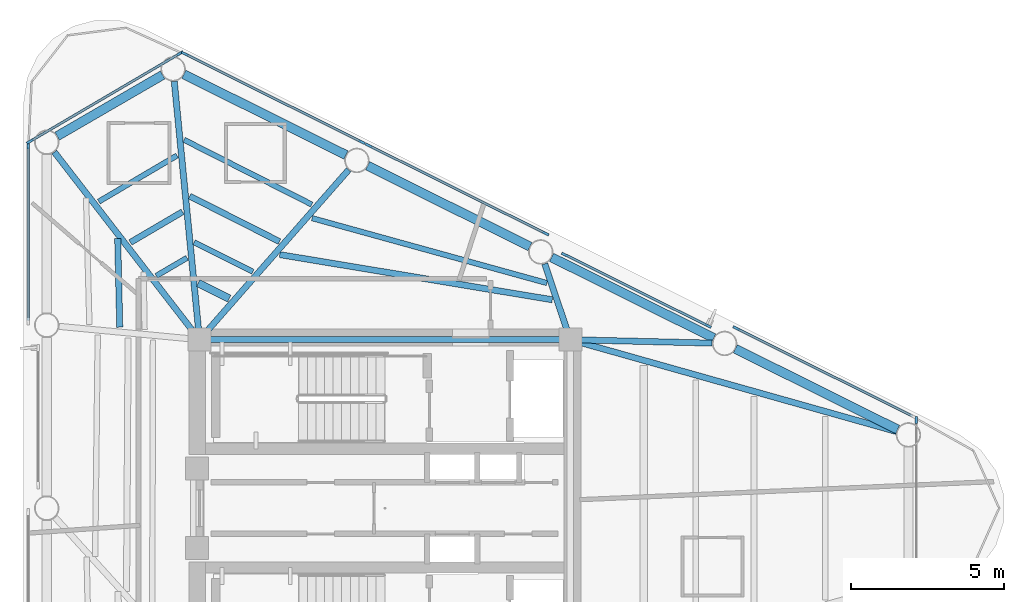
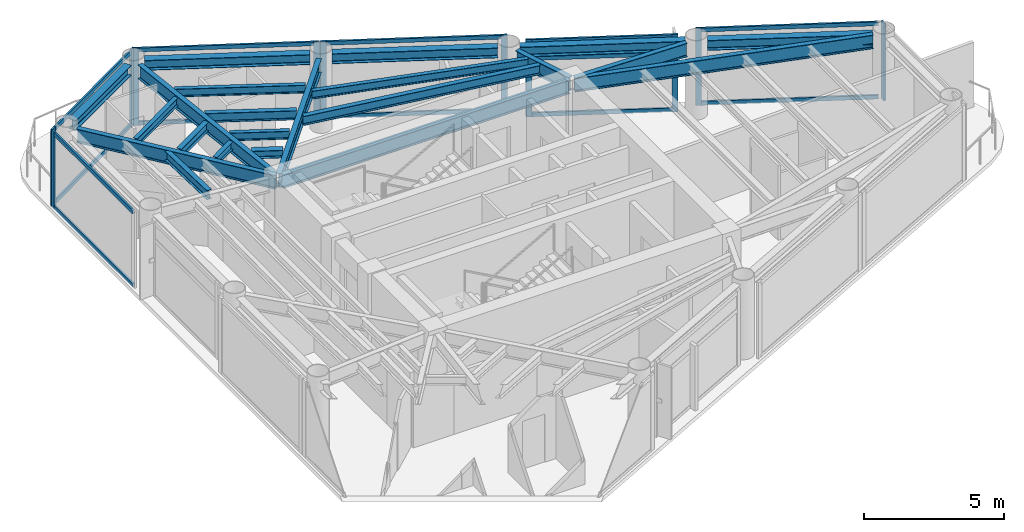
# One storey, part 3 of 10: 24 members, 22 beams, 7 elements without a shape of their own.
"""IFC4 building model written with IfcOpenShell, lengths in metres."""

from ifc_helpers import new_model, si_unit, direction, frame, origin, origin_2d, place, context, subcontext, project, spatial, rectangle, i_section, extrude, source, transform, mapped, material, layer, layer_set, material_profile, profile_set, type_object, element, aggregate, save


model = new_model("IFC4")

# Units and contexts
model_context = context("Model", 3, precision=1e-05, world=origin(), true_north=direction((0.0, 1.0)))
body_context = subcontext(model_context, "Body", "Model", "MODEL_VIEW")
ifc_project = project(units=[si_unit("LENGTHUNIT", "METRE"), si_unit("AREAUNIT", "SQUARE_METRE"), si_unit("VOLUMEUNIT", "CUBIC_METRE"), si_unit("PLANEANGLEUNIT", "RADIAN"), si_unit("MASSUNIT", "GRAM", prefix="KILO")], contexts=[model_context])

# Site, building, storey
site_placement = place(None, origin())
site = spatial("IfcSite", under=ifc_project, at=site_placement, CompositionType="ELEMENT")
building_placement = place(site_placement, origin())
building = spatial("IfcBuilding", under=site, at=building_placement, Name="Yunling Apex Tower", CompositionType="ELEMENT")
storey_placement = place(building_placement, frame((0.0, 0.0, 303.64990234375)))
storey = spatial("IfcBuildingStorey", under=building, at=storey_placement, Name="L74", CompositionType="ELEMENT", Elevation=303.64990234375)

# Beams
ifc_material_1 = material(Name="Steel Q355B", Category="steel")
ifc_material_profile_1 = material_profile(ifc_material_1, i_section(OverallWidth=0.199951171875, OverallDepth=0.60009765625, WebThickness=0.010986328125, FlangeThickness=0.01708984375, FilletRadius=0.02197265625, at=origin_2d()))
ifc_profile_set_1 = profile_set([ifc_material_profile_1], Name="Steel Q355B")
beam_type_1 = type_object("IfcBeamType", Name="BG-PRI-5", PredefinedType="USERDEFINED", material=ifc_profile_set_1)
shared_shape_1 = source(origin(), body_context, "Body", "SweptSolid", [
    extrude(i_section(OverallWidth=0.199951171875, OverallDepth=0.60009765625, WebThickness=0.010986328125, FlangeThickness=0.01708984375, FilletRadius=0.02197265625, at=origin_2d()), origin(), (0.0, 0.0, 1.0), 11.7998046875),
])
beam_1_placement = place(storey_placement, frame((5.89990234375, 5.5, 2.97021484375), z_axis=(-1.0, 0.0, 0.0), x_axis=(0.0, -1.0, 0.0)))
element("IfcBeam", 1, at=beam_1_placement, inside=storey, type_object=beam_type_1, Name="L74 Core Ring Tie Beam 3", ObjectType="GIRDER", PredefinedType="USERDEFINED", context=body_context, shape_type="MappedRepresentation", body=[
    mapped(shared_shape_1, transform((0.0, 0.0, 0.0), scale=1.0)),
])
ifc_material_profile_2 = material_profile(ifc_material_1, i_section(OverallWidth=0.300048828125, OverallDepth=0.43994140625, WebThickness=0.010986328125, FlangeThickness=0.01806640625, FilletRadius=0.02197265625, at=origin_2d()))
ifc_profile_set_2 = profile_set([ifc_material_profile_2], Name="Steel Q355B")
beam_type_2 = type_object("IfcBeamType", Name="BP-SPN-3", PredefinedType="SPANDREL", material=ifc_profile_set_2)
shared_shape_2 = source(origin(), body_context, "Body", "SweptSolid", [
    extrude(i_section(OverallWidth=0.300048828125, OverallDepth=0.43994140625, WebThickness=0.010986328125, FlangeThickness=0.01806640625, FilletRadius=0.02197265625, at=origin_2d()), origin(), (0.0, 0.0, 1.0), 5.914306640625),
])
for number, where, z_axis, x_axis, name in (
    (2, (4.733642578125, 8.539794921875, 3.050048828125), (-0.895267705164, 0.445528602999, 0.0), (-0.445528602999, -0.895267705164, 0.0), "L74 Perimeter Spandrel Beam 8"),
    (3, (-1.2666015625, 11.52587890625, 3.050048828125), (-0.895243044542, 0.445578153861, 0.0), (-0.445578153861, -0.895243044542, 0.0), "L74 Perimeter Spandrel Beam 9"),
):
    element("IfcBeam", number, at=place(storey_placement, frame(where, z_axis=z_axis, x_axis=x_axis)), inside=storey, type_object=beam_type_2, Name=name, PredefinedType="SPANDREL", context=body_context, shape_type="MappedRepresentation", body=[
        mapped(shared_shape_2, transform((0.0, 0.0, 0.0), scale=1.0)),
    ])
shared_shape_3 = source(origin(), body_context, "Body", "SweptSolid", [
    extrude(i_section(OverallWidth=0.300048828125, OverallDepth=0.43994140625, WebThickness=0.010986328125, FlangeThickness=0.01806640625, FilletRadius=0.02197265625, at=origin_2d()), origin(), (0.0, 0.0, 1.0), 5.9140625),
])
for number, where, z_axis, x_axis, name in (
    (4, (16.73388671875, 2.567138671875, 3.050048828125), (-0.895259510924, 0.445545068539, 0.0), (-0.445545068539, -0.895259510924, 0.0), "L74 Perimeter Spandrel Beam 6"),
    (5, (10.733642578125, 5.553466796875, 3.050048828125), (-0.895259510924, 0.445545068539, 0.0), (-0.445545068539, -0.895259510924, 0.0), "L74 Perimeter Spandrel Beam 7"),
):
    element("IfcBeam", number, at=place(storey_placement, frame(where, z_axis=z_axis, x_axis=x_axis)), inside=storey, type_object=beam_type_2, Name=name, PredefinedType="SPANDREL", context=body_context, shape_type="MappedRepresentation", body=[
        mapped(shared_shape_3, transform((0.0, 0.0, 0.0), scale=1.0)),
    ])
shared_shape_4 = source(origin(), body_context, "Body", "SweptSolid", [
    extrude(i_section(OverallWidth=0.300048828125, OverallDepth=0.43994140625, WebThickness=0.010986328125, FlangeThickness=0.01806640625, FilletRadius=0.02197265625, at=origin_2d()), origin(), (0.0, 0.0, 1.0), 3.978515625),
])
beam_2_placement = place(storey_placement, frame((-7.2548828125, 14.138916015625, 3.050048828125), z_axis=(-0.865064744393, -0.501660231639, 0.0), x_axis=(0.501660231639, -0.865064744393, 0.0)))
element("IfcBeam", 6, at=beam_2_placement, inside=storey, type_object=beam_type_2, Name="L74 Perimeter Spandrel Beam 10", PredefinedType="SPANDREL", context=body_context, shape_type="MappedRepresentation", body=[
    mapped(shared_shape_4, transform((0.0, 0.0, 0.0), scale=1.0)),
])
shared_shape_5 = source(origin(), body_context, "Body", "SweptSolid", [
    extrude(i_section(OverallWidth=0.199951171875, OverallDepth=0.60009765625, WebThickness=0.010986328125, FlangeThickness=0.01708984375, FilletRadius=0.02197265625, at=origin_2d()), origin(), (0.0, 0.0, 1.0), 8.390869140625),
])
beam_3_placement = place(storey_placement, frame((-6.874267578125, 13.9306640625, 2.97021484375), z_axis=(0.097296792844, -0.995255411491, 0.0), x_axis=(0.995255411491, 0.097296792844, 0.0)))
element("IfcBeam", 7, at=beam_3_placement, inside=storey, type_object=beam_type_1, Name="L74 Radial Primary Girder R10", ObjectType="GIRDER", PredefinedType="USERDEFINED", context=body_context, shape_type="MappedRepresentation", body=[
    mapped(shared_shape_5, transform((0.0, 0.0, 0.0), scale=1.0)),
])
shared_shape_6 = source(origin(), body_context, "Body", "SweptSolid", [
    extrude(i_section(OverallWidth=0.199951171875, OverallDepth=0.60009765625, WebThickness=0.010986328125, FlangeThickness=0.01708984375, FilletRadius=0.02197265625, at=origin_2d()), origin(), (0.0, 0.0, 1.0), 7.297119140625),
])
beam_4_placement = place(storey_placement, frame((-1.18310546875, 11.043701171875, 2.97021484375), z_axis=(-0.659747259747, -0.751487560281, 0.0), x_axis=(0.751487560281, -0.659747259747, 0.0)))
element("IfcBeam", 8, at=beam_4_placement, inside=storey, type_object=beam_type_1, Name="L74 Radial Primary Girder R09", ObjectType="GIRDER", PredefinedType="USERDEFINED", context=body_context, shape_type="MappedRepresentation", body=[
    mapped(shared_shape_6, transform((0.0, 0.0, 0.0), scale=1.0)),
])
shared_shape_7 = source(origin(), body_context, "Body", "SweptSolid", [
    extrude(i_section(OverallWidth=0.199951171875, OverallDepth=0.60009765625, WebThickness=0.010986328125, FlangeThickness=0.01708984375, FilletRadius=0.02197265625, at=origin_2d()), origin(), (0.0, 0.0, 1.0), 2.533935546875),
])
beam_5_placement = place(storey_placement, frame((5.21630859375, 7.977294921875, 2.97021484375), z_axis=(0.318914628896, -0.947783445454, 0.0), x_axis=(0.947783445454, 0.318914628896, 0.0)))
element("IfcBeam", 9, at=beam_5_placement, inside=storey, type_object=beam_type_1, Name="L74 Radial Primary Girder R08", ObjectType="GIRDER", PredefinedType="USERDEFINED", context=body_context, shape_type="MappedRepresentation", body=[
    mapped(shared_shape_7, transform((0.0, 0.0, 0.0), scale=1.0)),
])
shared_shape_8 = source(origin(), body_context, "Body", "SweptSolid", [
    extrude(i_section(OverallWidth=0.199951171875, OverallDepth=0.60009765625, WebThickness=0.010986328125, FlangeThickness=0.01708984375, FilletRadius=0.02197265625, at=origin_2d()), origin(), (0.0, 0.0, 1.0), 4.5498046875),
])
beam_6_placement = place(storey_placement, frame((10.678466796875, 5.3876953125, 2.97021484375), z_axis=(-0.999705840498, 0.024253504369, 0.0), x_axis=(-0.024253504369, -0.999705840498, 0.0)))
element("IfcBeam", 10, at=beam_6_placement, inside=storey, type_object=beam_type_1, Name="L74 Radial Primary Girder R07", ObjectType="GIRDER", PredefinedType="USERDEFINED", context=body_context, shape_type="MappedRepresentation", body=[
    mapped(shared_shape_8, transform((0.0, 0.0, 0.0), scale=1.0)),
])
shared_shape_9 = source(origin(), body_context, "Body", "SweptSolid", [
    extrude(i_section(OverallWidth=0.199951171875, OverallDepth=0.60009765625, WebThickness=0.010986328125, FlangeThickness=0.01708984375, FilletRadius=0.02197265625, at=origin_2d()), origin(), (0.0, 0.0, 1.0), 10.97802734375),
])
beam_7_placement = place(storey_placement, frame((16.69384765625, 2.502197265625, 2.97021484375), z_axis=(-0.962552702816, 0.271094622414, 0.0), x_axis=(-0.271094622414, -0.962552702816, 0.0)))
element("IfcBeam", 11, at=beam_7_placement, inside=storey, type_object=beam_type_1, Name="L74 Radial Primary Girder R06", ObjectType="GIRDER", PredefinedType="USERDEFINED", context=body_context, shape_type="MappedRepresentation", body=[
    mapped(shared_shape_9, transform((0.0, 0.0, 0.0), scale=1.0)),
])
shared_shape_10 = source(origin(), body_context, "Body", "SweptSolid", [
    extrude(i_section(OverallWidth=0.199951171875, OverallDepth=0.60009765625, WebThickness=0.010986328125, FlangeThickness=0.01708984375, FilletRadius=0.02197265625, at=origin_2d()), origin(), (0.0, 0.0, 1.0), 7.661376953125),
])
beam_8_placement = place(storey_placement, frame((-10.78759765625, 11.62255859375, 2.97021484375), z_axis=(0.611959789037, -0.790888877531, 0.0), x_axis=(0.790888877531, 0.611959789037, 0.0)))
element("IfcBeam", 12, at=beam_8_placement, inside=storey, type_object=beam_type_1, Name="L74 Radial Primary Girder R11", ObjectType="GIRDER", PredefinedType="USERDEFINED", context=body_context, shape_type="MappedRepresentation", body=[
    mapped(shared_shape_10, transform((0.0, 0.0, 0.0), scale=1.0)),
])
ifc_material_profile_3 = material_profile(ifc_material_1, i_section(OverallWidth=0.199951171875, OverallDepth=0.39990234375, WebThickness=0.008056640625, FlangeThickness=0.012939453125, FilletRadius=0.01611328125, at=origin_2d()))
ifc_profile_set_3 = profile_set([ifc_material_profile_3], Name="Steel Q355B")
beam_type_3 = type_object("IfcBeamType", Name="BS-SEC-4", PredefinedType="BEAM", material=ifc_profile_set_3)
shared_shape_11 = source(origin(), body_context, "Body", "SweptSolid", [
    extrude(i_section(OverallWidth=0.199951171875, OverallDepth=0.39990234375, WebThickness=0.008056640625, FlangeThickness=0.012939453125, FilletRadius=0.01611328125, at=origin_2d()), origin(), (0.0, 0.0, 1.0), 3.281494140625),
])
beam_9_placement = place(storey_placement, frame((-3.444091796875, 8.703125, 3.070068359375), z_axis=(-0.892364297468, 0.451315810275, 0.0), x_axis=(-0.451315810275, -0.892364297468, 0.0)))
element("IfcBeam", 13, at=beam_9_placement, inside=storey, type_object=beam_type_3, Name="L74 Composite Floor Beam BS-9", PredefinedType="BEAM", context=body_context, shape_type="MappedRepresentation", body=[
    mapped(shared_shape_11, transform((0.0, 0.0, 0.0), scale=1.0)),
])
ifc_material_profile_4 = material_profile(ifc_material_1, i_section(OverallWidth=0.175048828125, OverallDepth=0.35009765625, WebThickness=0.007080078125, FlangeThickness=0.010986328125, FilletRadius=0.013916015625, at=origin_2d()))
ifc_profile_set_4 = profile_set([ifc_material_profile_4], Name="Steel Q355B")
beam_type_4 = type_object("IfcBeamType", Name="BJ-JST-1", PredefinedType="JOIST", material=ifc_profile_set_4)
shared_shape_12 = source(origin(), body_context, "Body", "SweptSolid", [
    extrude(i_section(OverallWidth=0.175048828125, OverallDepth=0.35009765625, WebThickness=0.007080078125, FlangeThickness=0.010986328125, FilletRadius=0.013916015625, at=origin_2d()), origin(), (0.0, 0.0, 1.0), 4.67138671875),
])
beam_10_placement = place(storey_placement, frame((-2.385009765625, 9.90966796875, 3.09521484375), z_axis=(-0.892031280848, 0.45197366515, 0.0), x_axis=(-0.45197366515, -0.892031280848, 0.0)))
element("IfcBeam", 14, at=beam_10_placement, inside=storey, type_object=beam_type_4, Name="L74 Composite Floor Joist BJ1-9", PredefinedType="JOIST", context=body_context, shape_type="MappedRepresentation", body=[
    mapped(shared_shape_12, transform((0.0, 0.0, 0.0), scale=1.0)),
])
shared_shape_13 = source(origin(), body_context, "Body", "SweptSolid", [
    extrude(i_section(OverallWidth=0.175048828125, OverallDepth=0.35009765625, WebThickness=0.007080078125, FlangeThickness=0.010986328125, FilletRadius=0.013916015625, at=origin_2d()), origin(), (0.0, 0.0, 1.0), 2.143798828125),
])
beam_11_placement = place(storey_placement, frame((-4.310791015625, 7.7158203125, 3.09521484375), z_axis=(-0.892941835578, 0.45017205408, 0.0), x_axis=(-0.45017205408, -0.892941835578, 0.0)))
element("IfcBeam", 15, at=beam_11_placement, inside=storey, type_object=beam_type_4, Name="L74 Composite Floor Joist BJ3-9", PredefinedType="JOIST", context=body_context, shape_type="MappedRepresentation", body=[
    mapped(shared_shape_13, transform((0.0, 0.0, 0.0), scale=1.0)),
])
ifc_material_profile_5 = material_profile(ifc_material_1, i_section(OverallWidth=0.25, OverallDepth=0.340087890625, WebThickness=0.009033203125, FlangeThickness=0.013916015625, FilletRadius=0.01806640625, at=origin_2d()))
ifc_profile_set_5 = profile_set([ifc_material_profile_5], Name="Steel Q355B")
beam_type_5 = type_object("IfcBeamType", Name="BJ-JST-2", PredefinedType="JOIST", material=ifc_profile_set_5)
shared_shape_14 = source(origin(), body_context, "Body", "SweptSolid", [
    extrude(i_section(OverallWidth=0.25, OverallDepth=0.340087890625, WebThickness=0.009033203125, FlangeThickness=0.013916015625, FilletRadius=0.01806640625, at=origin_2d()), origin(), (0.0, 0.0, 1.0), 1.1328125),
])
beam_12_placement = place(storey_placement, frame((-5.081298828125, 6.838134765625, 3.10009765625), z_axis=(-0.894211562533, 0.447644592765, 0.0), x_axis=(-0.447644592765, -0.894211562533, 0.0)))
element("IfcBeam", 16, at=beam_12_placement, inside=storey, type_object=beam_type_5, Name="L74 Composite Floor Joist BJ2-9", PredefinedType="JOIST", context=body_context, shape_type="MappedRepresentation", body=[
    mapped(shared_shape_14, transform((0.0, 0.0, 0.0), scale=1.0)),
])
shared_shape_15 = source(origin(), body_context, "Body", "SweptSolid", [
    extrude(i_section(OverallWidth=0.199951171875, OverallDepth=0.39990234375, WebThickness=0.008056640625, FlangeThickness=0.012939453125, FilletRadius=0.01611328125, at=origin_2d()), origin(), (0.0, 0.0, 1.0), 9.01611328125),
])
beam_13_placement = place(storey_placement, frame((5.462646484375, 6.802734375, 3.070068359375), z_axis=(-0.986561729833, 0.163388962996, 0.0), x_axis=(-0.163388962996, -0.986561729833, 0.0)))
element("IfcBeam", 17, at=beam_13_placement, inside=storey, type_object=beam_type_3, Name="L74 Composite Floor Beam BS-8", PredefinedType="BEAM", context=body_context, shape_type="MappedRepresentation", body=[
    mapped(shared_shape_15, transform((0.0, 0.0, 0.0), scale=1.0)),
])
shared_shape_16 = source(origin(), body_context, "Body", "SweptSolid", [
    extrude(i_section(OverallWidth=0.175048828125, OverallDepth=0.35009765625, WebThickness=0.007080078125, FlangeThickness=0.010986328125, FilletRadius=0.013916015625, at=origin_2d()), origin(), (0.0, 0.0, 1.0), 7.952392578125),
])
beam_14_placement = place(storey_placement, frame((5.288330078125, 7.34765625, 3.09521484375), z_axis=(-0.963874198485, 0.266357897377, 0.0), x_axis=(-0.266357897377, -0.963874198485, 0.0)))
element("IfcBeam", 18, at=beam_14_placement, inside=storey, type_object=beam_type_4, Name="L74 Composite Floor Joist BJ1-8", PredefinedType="JOIST", context=body_context, shape_type="MappedRepresentation", body=[
    mapped(shared_shape_16, transform((0.0, 0.0, 0.0), scale=1.0)),
])
shared_shape_17 = source(origin(), body_context, "Body", "SweptSolid", [
    extrude(i_section(OverallWidth=0.199951171875, OverallDepth=0.39990234375, WebThickness=0.008056640625, FlangeThickness=0.012939453125, FilletRadius=0.01611328125, at=origin_2d()), origin(), (0.0, 0.0, 1.0), 1.9736328125),
])
beam_15_placement = place(storey_placement, frame((-6.60400390625, 9.674072265625, 3.070068359375), z_axis=(-0.862118606545, -0.506706530694, 0.0), x_axis=(0.506706530694, -0.862118606545, 0.0)))
element("IfcBeam", 19, at=beam_15_placement, inside=storey, type_object=beam_type_3, Name="L74 Composite Floor Beam BS-10", PredefinedType="BEAM", context=body_context, shape_type="MappedRepresentation", body=[
    mapped(shared_shape_17, transform((0.0, 0.0, 0.0), scale=1.0)),
])
shared_shape_18 = source(origin(), body_context, "Body", "SweptSolid", [
    extrude(i_section(OverallWidth=0.175048828125, OverallDepth=0.35009765625, WebThickness=0.007080078125, FlangeThickness=0.010986328125, FilletRadius=0.013916015625, at=origin_2d()), origin(), (0.0, 0.0, 1.0), 2.96337890625),
])
beam_16_placement = place(storey_placement, frame((-6.783447265625, 11.510986328125, 3.09521484375), z_axis=(-0.861658767358, -0.507488097038, 0.0), x_axis=(0.507488097038, -0.861658767358, 0.0)))
element("IfcBeam", 20, at=beam_16_placement, inside=storey, type_object=beam_type_4, Name="L74 Composite Floor Joist BJ1-10", PredefinedType="JOIST", context=body_context, shape_type="MappedRepresentation", body=[
    mapped(shared_shape_18, transform((0.0, 0.0, 0.0), scale=1.0)),
])
shared_shape_19 = source(origin(), body_context, "Body", "SweptSolid", [
    extrude(i_section(OverallWidth=0.175048828125, OverallDepth=0.35009765625, WebThickness=0.007080078125, FlangeThickness=0.010986328125, FilletRadius=0.013916015625, at=origin_2d()), origin(), (0.0, 0.0, 1.0), 1.16357421875),
])
beam_17_placement = place(storey_placement, frame((-6.457275390625, 8.171142578125, 3.09521484375), z_axis=(-0.862833680606, -0.50548792232, 0.0), x_axis=(0.50548792232, -0.862833680606, 0.0)))
element("IfcBeam", 21, at=beam_17_placement, inside=storey, type_object=beam_type_4, Name="L74 Composite Floor Joist BJ3-10", PredefinedType="JOIST", context=body_context, shape_type="MappedRepresentation", body=[
    mapped(shared_shape_19, transform((0.0, 0.0, 0.0), scale=1.0)),
])
shared_shape_20 = source(origin(), body_context, "Body", "SweptSolid", [
    extrude(i_section(OverallWidth=0.199951171875, OverallDepth=0.39990234375, WebThickness=0.008056640625, FlangeThickness=0.012939453125, FilletRadius=0.01611328125, at=origin_2d()), origin(), (0.0, 0.0, 1.0), 2.890869140625),
])
beam_18_placement = place(storey_placement, frame((-8.720947265625, 8.796630859375, 3.070068359375), z_axis=(0.023139604217, -0.999732243512, 0.0), x_axis=(0.999732243512, 0.023139604217, 0.0)))
element("IfcBeam", 22, at=beam_18_placement, inside=storey, type_object=beam_type_3, Name="L74 Composite Floor Beam BS-11", PredefinedType="BEAM", context=body_context, shape_type="MappedRepresentation", body=[
    mapped(shared_shape_20, transform((0.0, 0.0, 0.0), scale=1.0)),
])

# Curtain wall, member
ifc_material_2 = material(Name="Bronze anodised aluminium", Category="aluminium")
ifc_layer = layer(ifc_material_2, 0.219970703125)
ifc_layer_set = layer_set([ifc_layer], Name="Bronze anodised aluminium")
curtain_wall_type = type_object("IfcCurtainWallType", Name="CW-SYS-4", PredefinedType="NOTDEFINED", material=ifc_layer_set)
curtain_wall_1_placement = place(storey_placement, origin())
curtain_wall_1 = element("IfcCurtainWall", 23, at=curtain_wall_1_placement, inside=storey, type_object=curtain_wall_type, Name="CW-L74-CRN1", PredefinedType="NOTDEFINED")
ifc_material_profile_6 = material_profile(ifc_material_2, rectangle(XDim=0.080078125, YDim=0.219970703125, at=origin_2d()))
ifc_profile_set_6 = profile_set([ifc_material_profile_6], Name="Bronze anodised aluminium")
member_type_1 = type_object("IfcMemberType", Name="CW-MUL-4", PredefinedType="MULLION", material=ifc_profile_set_6)
shared_shape_21 = source(origin(), body_context, "Body", "SweptSolid", [
    extrude(rectangle(XDim=0.080078125, YDim=0.219970703125, at=origin_2d()), origin(), (0.0, 0.0, 1.0), 3.369873046875),
])
member_1_placement = place(storey_placement, frame((17.349365234375, 2.879638671875, -0.0498046875), z_axis=(0.0, 0.0, 1.0), x_axis=(-1.0, 0.0, 0.0)))
member_1 = element("IfcMember", 24, at=member_1_placement, type_object=member_type_1, Name="CW-SYS-4 mullion 2", PredefinedType="MULLION", context=body_context, shape_type="MappedRepresentation", body=[
    mapped(shared_shape_21, transform((0.0, 0.0, 0.0), scale=1.0)),
])
aggregate(curtain_wall_1, [member_1])

curtain_wall_2_placement = place(storey_placement, origin())
curtain_wall_2 = element("IfcCurtainWall", 25, at=curtain_wall_2_placement, inside=storey, type_object=curtain_wall_type, Name="CW-L74-F2-B1", PredefinedType="NOTDEFINED")
member_2_placement = place(storey_placement, frame((11.465576171875, 5.870361328125, -0.0498046875), z_axis=(0.0, 0.0, 1.0), x_axis=(-0.445568135078, -0.895248030996, 0.0)))
member_2 = element("IfcMember", 26, at=member_2_placement, type_object=member_type_1, Name="CW-SYS-4 mullion 2", PredefinedType="MULLION", context=body_context, shape_type="MappedRepresentation", body=[
    mapped(shared_shape_21, transform((0.0, 0.0, 0.0), scale=1.0)),
])

# Curtain wall, members
curtain_wall_3_placement = place(storey_placement, origin())
curtain_wall_3 = element("IfcCurtainWall", 27, at=curtain_wall_3_placement, inside=storey, type_object=curtain_wall_type, Name="CW-L74-F2-B2", PredefinedType="NOTDEFINED")
member_3_placement = place(storey_placement, frame((10.544189453125, 5.94921875, -0.0498046875), z_axis=(0.0, 0.0, 1.0), x_axis=(-0.445583360305, -0.895240453185, 0.0)))
member_3 = element("IfcMember", 28, at=member_3_placement, type_object=member_type_1, Name="CW-SYS-4 mullion 1", PredefinedType="MULLION", context=body_context, shape_type="MappedRepresentation", body=[
    mapped(shared_shape_21, transform((0.0, 0.0, 0.0), scale=1.0)),
])
member_4_placement = place(storey_placement, frame((5.869140625, 8.276123046875, -0.0498046875), z_axis=(0.0, 0.0, 1.0), x_axis=(-0.445583360305, -0.895240453185, 0.0)))
member_4 = element("IfcMember", 29, at=member_4_placement, type_object=member_type_1, Name="CW-SYS-4 mullion 2", PredefinedType="MULLION", context=body_context, shape_type="MappedRepresentation", body=[
    mapped(shared_shape_21, transform((0.0, 0.0, 0.0), scale=1.0)),
])

curtain_wall_4_placement = place(storey_placement, origin())
curtain_wall_4 = element("IfcCurtainWall", 30, at=curtain_wall_4_placement, inside=storey, type_object=curtain_wall_type, Name="CW-L74-F2-B3", PredefinedType="NOTDEFINED")
member_5_placement = place(storey_placement, frame((5.250732421875, 8.963623046875, -0.0498046875), z_axis=(0.0, 0.0, 1.0), x_axis=(-0.445562037917, -0.895251065549, 0.0)))
member_5 = element("IfcMember", 31, at=member_5_placement, type_object=member_type_1, Name="CW-SYS-4 mullion 1", PredefinedType="MULLION", context=body_context, shape_type="MappedRepresentation", body=[
    mapped(shared_shape_21, transform((0.0, 0.0, 0.0), scale=1.0)),
])
member_6_placement = place(storey_placement, frame((-0.53466796875, 11.843017578125, -0.0498046875), z_axis=(0.0, 0.0, 1.0), x_axis=(-0.445562037917, -0.895251065549, 0.0)))
member_6 = element("IfcMember", 32, at=member_6_placement, type_object=member_type_1, Name="CW-SYS-4 mullion 2", PredefinedType="MULLION", context=body_context, shape_type="MappedRepresentation", body=[
    mapped(shared_shape_21, transform((0.0, 0.0, 0.0), scale=1.0)),
])

curtain_wall_5_placement = place(storey_placement, origin())
curtain_wall_5 = element("IfcCurtainWall", 33, at=curtain_wall_5_placement, inside=storey, type_object=curtain_wall_type, Name="CW-L74-F2-B4", PredefinedType="NOTDEFINED")
member_7_placement = place(storey_placement, frame((-0.74951171875, 11.949951171875, -0.0498046875), z_axis=(0.0, 0.0, 1.0), x_axis=(-0.445568135078, -0.895248030996, 0.0)))
member_7 = element("IfcMember", 34, at=member_7_placement, type_object=member_type_1, Name="CW-SYS-4 mullion 1", PredefinedType="MULLION", context=body_context, shape_type="MappedRepresentation", body=[
    mapped(shared_shape_21, transform((0.0, 0.0, 0.0), scale=1.0)),
])
member_8_placement = place(storey_placement, frame((-6.534912109375, 14.829345703125, -0.0498046875), z_axis=(0.0, 0.0, 1.0), x_axis=(-0.445568135078, -0.895248030996, 0.0)))
member_8 = element("IfcMember", 35, at=member_8_placement, type_object=member_type_1, Name="CW-SYS-4 mullion 2", PredefinedType="MULLION", context=body_context, shape_type="MappedRepresentation", body=[
    mapped(shared_shape_21, transform((0.0, 0.0, 0.0), scale=1.0)),
])

curtain_wall_6_placement = place(storey_placement, origin())
curtain_wall_6 = element("IfcCurtainWall", 36, at=curtain_wall_6_placement, inside=storey, type_object=curtain_wall_type, Name="CW-L74-CRN2", PredefinedType="NOTDEFINED")
member_9_placement = place(storey_placement, frame((-6.685546875, 14.8447265625, -0.0498046875), z_axis=(0.0, 0.0, 1.0), x_axis=(0.506057076658, -0.862499991399, 0.0)))
member_9 = element("IfcMember", 37, at=member_9_placement, type_object=member_type_1, Name="CW-SYS-4 mullion 1", PredefinedType="MULLION", context=body_context, shape_type="MappedRepresentation", body=[
    mapped(shared_shape_21, transform((0.0, 0.0, 0.0), scale=1.0)),
])
member_10_placement = place(storey_placement, frame((-11.5927734375, 11.965576171875, -0.0498046875), z_axis=(0.0, 0.0, 1.0), x_axis=(0.506057076658, -0.862499991399, 0.0)))
member_10 = element("IfcMember", 38, at=member_10_placement, type_object=member_type_1, Name="CW-SYS-4 mullion 2", PredefinedType="MULLION", context=body_context, shape_type="MappedRepresentation", body=[
    mapped(shared_shape_21, transform((0.0, 0.0, 0.0), scale=1.0)),
])

# Curtain wall, member
curtain_wall_7_placement = place(storey_placement, origin())
curtain_wall_7 = element("IfcCurtainWall", 39, at=curtain_wall_7_placement, inside=storey, type_object=curtain_wall_type, Name="CW-L74-F3-B1", PredefinedType="NOTDEFINED")
member_11_placement = place(storey_placement, frame((-11.647216796875, 11.8251953125, -0.0498046875), z_axis=(0.0, 0.0, 1.0), x_axis=(1.0, 0.0, 0.0)))
member_11 = element("IfcMember", 40, at=member_11_placement, type_object=member_type_1, Name="CW-SYS-4 mullion 1", PredefinedType="MULLION", context=body_context, shape_type="MappedRepresentation", body=[
    mapped(shared_shape_21, transform((0.0, 0.0, 0.0), scale=1.0)),
])

# Member
ifc_material_profile_7 = material_profile(ifc_material_2, rectangle(XDim=0.080078125, YDim=0.169921875, at=origin_2d()))
ifc_profile_set_7 = profile_set([ifc_material_profile_7], Name="Bronze anodised aluminium")
member_type_2 = type_object("IfcMemberType", Name="CW-TRN-4", PredefinedType="USERDEFINED", material=ifc_profile_set_7)
shared_shape_22 = source(origin(), body_context, "Body", "SweptSolid", [
    extrude(rectangle(XDim=0.080078125, YDim=0.169921875, at=origin_2d()), origin(), (0.0, 0.0, 1.0), 6.39013671875),
])
member_12_placement = place(storey_placement, frame((-0.78173828125, 11.966064453125, 0.0400390625), z_axis=(-0.89525092504, 0.445562320238, 0.0), x_axis=(-0.445562320238, -0.89525092504, 0.0)))
member_12 = element("IfcMember", 41, at=member_12_placement, type_object=member_type_2, Name="CW-SYS-4 transom 1.1", ObjectType="TRANSOM", PredefinedType="USERDEFINED", context=body_context, shape_type="MappedRepresentation", body=[
    mapped(shared_shape_22, transform((0.0, 0.0, 0.0), scale=1.0)),
])

member_13_placement = place(storey_placement, frame((-0.78173828125, 11.966064453125, 3.22998046875), z_axis=(-0.89525092504, 0.445562320238, 0.0), x_axis=(-0.445562320238, -0.89525092504, 0.0)))
member_13 = element("IfcMember", 42, at=member_13_placement, type_object=member_type_2, Name="CW-SYS-4 transom 1.2", ObjectType="TRANSOM", PredefinedType="USERDEFINED", context=body_context, shape_type="MappedRepresentation", body=[
    mapped(shared_shape_22, transform((0.0, 0.0, 0.0), scale=1.0)),
])

aggregate(curtain_wall_5, [member_7, member_8, member_12, member_13])

shared_shape_23 = source(origin(), body_context, "Body", "SweptSolid", [
    extrude(rectangle(XDim=0.080078125, YDim=0.169921875, at=origin_2d()), origin(), (0.0, 0.0, 1.0), 6.390380859375),
])
member_14_placement = place(storey_placement, frame((17.21875, 3.007080078125, 0.0400390625), z_axis=(-0.895258509594, 0.445547080565, 0.0), x_axis=(-0.445547080565, -0.895258509594, 0.0)))
member_14 = element("IfcMember", 43, at=member_14_placement, type_object=member_type_2, Name="CW-SYS-4 transom 1.1", ObjectType="TRANSOM", PredefinedType="USERDEFINED", context=body_context, shape_type="MappedRepresentation", body=[
    mapped(shared_shape_23, transform((0.0, 0.0, 0.0), scale=1.0)),
])

member_15_placement = place(storey_placement, frame((17.21875, 3.007080078125, 3.22998046875), z_axis=(-0.895258509594, 0.445547080565, 0.0), x_axis=(-0.445547080565, -0.895258509594, 0.0)))
member_15 = element("IfcMember", 44, at=member_15_placement, type_object=member_type_2, Name="CW-SYS-4 transom 1.2", ObjectType="TRANSOM", PredefinedType="USERDEFINED", context=body_context, shape_type="MappedRepresentation", body=[
    mapped(shared_shape_23, transform((0.0, 0.0, 0.0), scale=1.0)),
])

aggregate(curtain_wall_2, [member_2, member_14, member_15])

member_16_placement = place(storey_placement, frame((5.218505859375, 8.979736328125, 0.0400390625), z_axis=(-0.895243270113, 0.44557770065, 0.0), x_axis=(-0.44557770065, -0.895243270113, 0.0)))
member_16 = element("IfcMember", 45, at=member_16_placement, type_object=member_type_2, Name="CW-SYS-4 transom 1.1", ObjectType="TRANSOM", PredefinedType="USERDEFINED", context=body_context, shape_type="MappedRepresentation", body=[
    mapped(shared_shape_23, transform((0.0, 0.0, 0.0), scale=1.0)),
])

member_17_placement = place(storey_placement, frame((5.218505859375, 8.979736328125, 3.22998046875), z_axis=(-0.895243270113, 0.44557770065, 0.0), x_axis=(-0.44557770065, -0.895243270113, 0.0)))
member_17 = element("IfcMember", 46, at=member_17_placement, type_object=member_type_2, Name="CW-SYS-4 transom 1.2", ObjectType="TRANSOM", PredefinedType="USERDEFINED", context=body_context, shape_type="MappedRepresentation", body=[
    mapped(shared_shape_23, transform((0.0, 0.0, 0.0), scale=1.0)),
])

aggregate(curtain_wall_4, [member_5, member_6, member_16, member_17])

shared_shape_24 = source(origin(), body_context, "Body", "SweptSolid", [
    extrude(rectangle(XDim=0.080078125, YDim=0.169921875, at=origin_2d()), origin(), (0.0, 0.0, 1.0), 5.150146484375),
])
member_18_placement = place(storey_placement, frame((10.511962890625, 5.96533203125, 0.0400390625), z_axis=(-0.895231613188, 0.445601120676, 0.0), x_axis=(-0.445601120676, -0.895231613188, 0.0)))
member_18 = element("IfcMember", 47, at=member_18_placement, type_object=member_type_2, Name="CW-SYS-4 transom 1.1", ObjectType="TRANSOM", PredefinedType="USERDEFINED", context=body_context, shape_type="MappedRepresentation", body=[
    mapped(shared_shape_24, transform((0.0, 0.0, 0.0), scale=1.0)),
])

member_19_placement = place(storey_placement, frame((10.511962890625, 5.96533203125, 2.4853515625), z_axis=(-0.895231613188, 0.445601120676, 0.0), x_axis=(-0.445601120676, -0.895231613188, 0.0)))
member_19 = element("IfcMember", 48, at=member_19_placement, type_object=member_type_2, Name="CW-SYS-4 transom 1.2", ObjectType="TRANSOM", PredefinedType="USERDEFINED", context=body_context, shape_type="MappedRepresentation", body=[
    mapped(shared_shape_24, transform((0.0, 0.0, 0.0), scale=1.0)),
])

member_20_placement = place(storey_placement, frame((10.511962890625, 5.96533203125, 3.22998046875), z_axis=(-0.895231613188, 0.445601120676, 0.0), x_axis=(-0.445601120676, -0.895231613188, 0.0)))
member_20 = element("IfcMember", 49, at=member_20_placement, type_object=member_type_2, Name="CW-SYS-4 transom 1.3", ObjectType="TRANSOM", PredefinedType="USERDEFINED", context=body_context, shape_type="MappedRepresentation", body=[
    mapped(shared_shape_24, transform((0.0, 0.0, 0.0), scale=1.0)),
])

aggregate(curtain_wall_3, [member_3, member_4, member_18, member_19, member_20])

shared_shape_25 = source(origin(), body_context, "Body", "SweptSolid", [
    extrude(rectangle(XDim=0.080078125, YDim=0.169921875, at=origin_2d()), origin(), (0.0, 0.0, 1.0), 5.61767578125),
])
member_21_placement = place(storey_placement, frame((-6.716552734375, 14.82666015625, 0.0400390625), z_axis=(-0.862486715055, -0.506079703558, 0.0), x_axis=(0.506079703558, -0.862486715055, 0.0)))
member_21 = element("IfcMember", 50, at=member_21_placement, type_object=member_type_2, Name="CW-SYS-4 transom 1.1", ObjectType="TRANSOM", PredefinedType="USERDEFINED", context=body_context, shape_type="MappedRepresentation", body=[
    mapped(shared_shape_25, transform((0.0, 0.0, 0.0), scale=1.0)),
])

member_22_placement = place(storey_placement, frame((-6.716552734375, 14.82666015625, 3.22998046875), z_axis=(-0.862486715055, -0.506079703558, 0.0), x_axis=(0.506079703558, -0.862486715055, 0.0)))
member_22 = element("IfcMember", 51, at=member_22_placement, type_object=member_type_2, Name="CW-SYS-4 transom 1.2", ObjectType="TRANSOM", PredefinedType="USERDEFINED", context=body_context, shape_type="MappedRepresentation", body=[
    mapped(shared_shape_25, transform((0.0, 0.0, 0.0), scale=1.0)),
])

aggregate(curtain_wall_6, [member_9, member_10, member_21, member_22])

shared_shape_26 = source(origin(), body_context, "Body", "SweptSolid", [
    extrude(rectangle(XDim=0.080078125, YDim=0.169921875, at=origin_2d()), origin(), (0.0, 0.0, 1.0), 5.66064453125),
])
member_23_placement = place(storey_placement, frame((-11.647216796875, 11.789306640625, 0.0400390625), z_axis=(0.0, -1.0, 0.0), x_axis=(1.0, 0.0, 0.0)))
member_23 = element("IfcMember", 52, at=member_23_placement, type_object=member_type_2, Name="CW-SYS-4 transom 1.1", ObjectType="TRANSOM", PredefinedType="USERDEFINED", context=body_context, shape_type="MappedRepresentation", body=[
    mapped(shared_shape_26, transform((0.0, 0.0, 0.0), scale=1.0)),
])

member_24_placement = place(storey_placement, frame((-11.647216796875, 11.789306640625, 3.22998046875), z_axis=(0.0, -1.0, 0.0), x_axis=(1.0, 0.0, 0.0)))
member_24 = element("IfcMember", 53, at=member_24_placement, type_object=member_type_2, Name="CW-SYS-4 transom 1.2", ObjectType="TRANSOM", PredefinedType="USERDEFINED", context=body_context, shape_type="MappedRepresentation", body=[
    mapped(shared_shape_26, transform((0.0, 0.0, 0.0), scale=1.0)),
])

aggregate(curtain_wall_7, [member_11, member_23, member_24])

save(model, "model.ifc")
